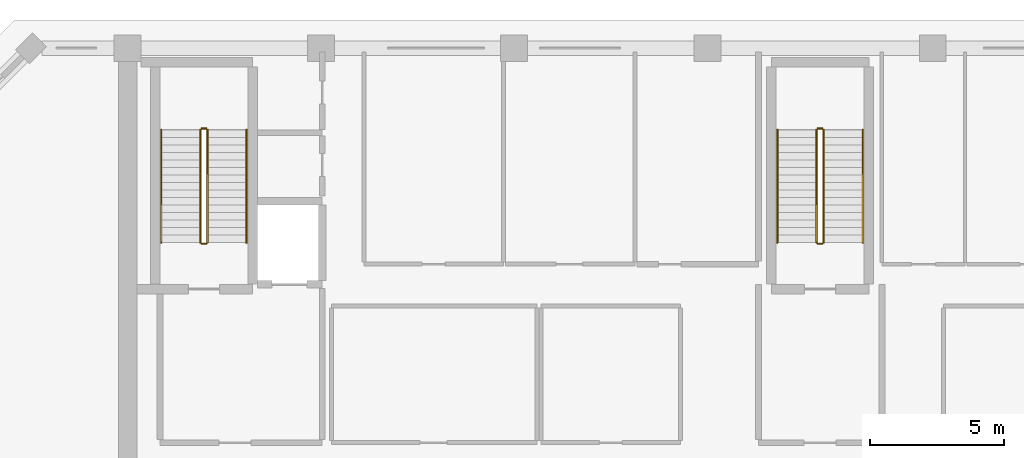
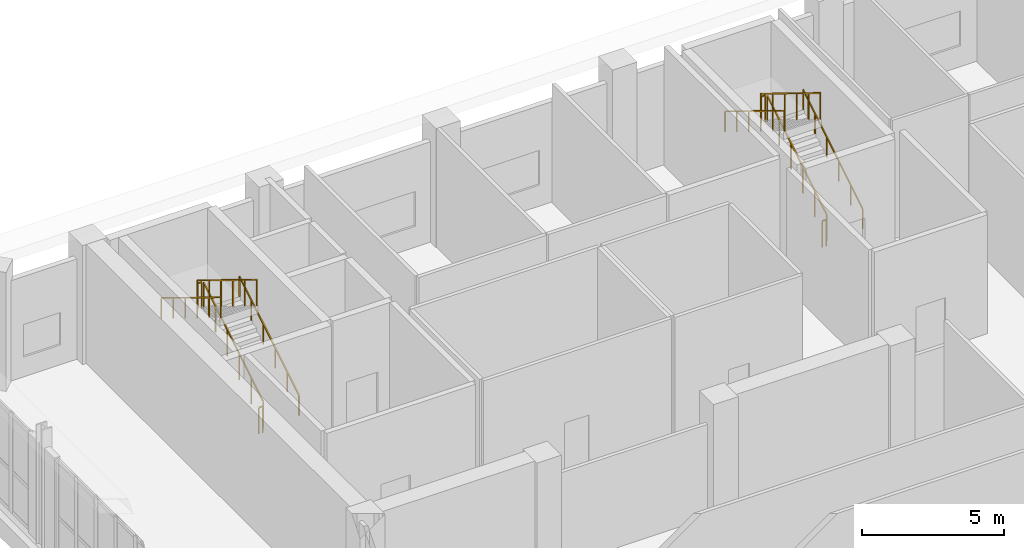
# One storey, part 25 of 26: 12 railings.
"""IFC4 building model written with IfcOpenShell, lengths in metres."""

from ifc_helpers import new_model, si_unit, direction, frame, origin, origin_2d, place, context, subcontext, project, spatial, rectangle, extrude, material, type_object, element, save


model = new_model("IFC4")

# Units and contexts
model_context = context("Model", 3, precision=1e-05, world=origin(), true_north=direction((0.0, 1.0)))
body_context = subcontext(model_context, "Body", "Model", "MODEL_VIEW")
ifc_project = project(units=[si_unit("LENGTHUNIT", "METRE"), si_unit("AREAUNIT", "SQUARE_METRE"), si_unit("VOLUMEUNIT", "CUBIC_METRE"), si_unit("PLANEANGLEUNIT", "RADIAN"), si_unit("MASSUNIT", "GRAM", prefix="KILO")], contexts=[model_context])

# Site, building, storey
site_placement = place(None, origin())
site = spatial("IfcSite", under=ifc_project, at=site_placement, CompositionType="ELEMENT")
building_placement = place(site_placement, origin())
building = spatial("IfcBuilding", under=site, at=building_placement, Name="Kaelvorn Grand Hotel", CompositionType="ELEMENT")
storey_placement = place(building_placement, frame((0.0, 0.0, 300.199951171875)))
storey = spatial("IfcBuildingStorey", under=building, at=storey_placement, Name="L73", CompositionType="ELEMENT", Elevation=300.199951171875)

# Railings
ifc_material = material(Name="Stainless Steel", Category="steel")
railing_type_1 = type_object("IfcRailingType", Name="RL-HANDRAIL-900", PredefinedType="HANDRAIL", material=ifc_material)
railing_1_placement = place(storey_placement, frame((20.6298828125, 41.760009765625, 0.171875)))
element("IfcRailing", 1, at=railing_1_placement, inside=storey, type_object=railing_type_1, Name="L73 ST1 stair handrail 1", PredefinedType="HANDRAIL", context=body_context, shape_type="SweptSolid", body=[
    extrude(rectangle(XDim=0.048095703125, YDim=0.048095703125, at=origin_2d()), frame((0.0, 0.0, 0.8759765625), z_axis=(0.0, 0.852242915053, 0.523146264196), x_axis=(-1.0, 0.0, 0.0)), (0.0, 0.0, 1.0), 4.92822265625),
    extrude(rectangle(XDim=0.0419921875, YDim=0.0419921875, at=origin_2d()), origin(), (0.0, 0.0, 1.0), 0.851806640625),
    extrude(rectangle(XDim=0.0419921875, YDim=0.0419921875, at=origin_2d()), frame((0.0, 0.840087890625, 0.515625)), (0.0, 0.0, 1.0), 0.851806640625),
    extrude(rectangle(XDim=0.0419921875, YDim=0.0419921875, at=origin_2d()), frame((0.0, 1.679931640625, 1.03125)), (0.0, 0.0, 1.0), 0.851806640625),
    extrude(rectangle(XDim=0.0419921875, YDim=0.0419921875, at=origin_2d()), frame((0.0, 2.52001953125, 1.546875)), (0.0, 0.0, 1.0), 0.851806640625),
    extrude(rectangle(XDim=0.0419921875, YDim=0.0419921875, at=origin_2d()), frame((0.0, 3.35986328125, 2.0625)), (0.0, 0.0, 1.0), 0.851806640625),
    extrude(rectangle(XDim=0.0419921875, YDim=0.0419921875, at=origin_2d()), frame((0.0, 4.199951171875, 2.578125)), (0.0, 0.0, 1.0), 0.851806640625),
])
railing_2_placement = place(storey_placement, frame((17.449951171875, 45.9599609375, 2.921875)))
element("IfcRailing", 2, at=railing_2_placement, inside=storey, type_object=railing_type_1, Name="L73 ST1 stair handrail 2", PredefinedType="HANDRAIL", context=body_context, shape_type="SweptSolid", body=[
    extrude(rectangle(XDim=0.048095703125, YDim=0.048095703125, at=origin_2d()), frame((0.0, 0.0, 0.8759765625), z_axis=(0.0, -0.852242915053, 0.523146264196), x_axis=(1.0, 0.0, 0.0)), (0.0, 0.0, 1.0), 4.92822265625),
    extrude(rectangle(XDim=0.0419921875, YDim=0.0419921875, at=origin_2d()), origin(), (0.0, 0.0, 1.0), 0.851806640625),
    extrude(rectangle(XDim=0.0419921875, YDim=0.0419921875, at=origin_2d()), frame((0.0, -0.840087890625, 0.515625)), (0.0, 0.0, 1.0), 0.851806640625),
    extrude(rectangle(XDim=0.0419921875, YDim=0.0419921875, at=origin_2d()), frame((0.0, -1.679931640625, 1.03125)), (0.0, 0.0, 1.0), 0.851806640625),
    extrude(rectangle(XDim=0.0419921875, YDim=0.0419921875, at=origin_2d()), frame((0.0, -2.52001953125, 1.546875)), (0.0, 0.0, 1.0), 0.851806640625),
    extrude(rectangle(XDim=0.0419921875, YDim=0.0419921875, at=origin_2d()), frame((0.0, -3.35986328125, 2.0625)), (0.0, 0.0, 1.0), 0.851806640625),
    extrude(rectangle(XDim=0.0419921875, YDim=0.0419921875, at=origin_2d()), frame((0.0, -4.199951171875, 2.578125)), (0.0, 0.0, 1.0), 0.851806640625),
])
railing_3_placement = place(storey_placement, frame((43.590087890625, 41.760009765625, 0.171875)))
element("IfcRailing", 3, at=railing_3_placement, inside=storey, type_object=railing_type_1, Name="L73 ST2 stair handrail 1", PredefinedType="HANDRAIL", context=body_context, shape_type="SweptSolid", body=[
    extrude(rectangle(XDim=0.048095703125, YDim=0.048095703125, at=origin_2d()), frame((0.0, 0.0, 0.8759765625), z_axis=(0.0, 0.852242915053, 0.523146264196), x_axis=(-1.0, 0.0, 0.0)), (0.0, 0.0, 1.0), 4.92822265625),
    extrude(rectangle(XDim=0.0419921875, YDim=0.0419921875, at=origin_2d()), origin(), (0.0, 0.0, 1.0), 0.851806640625),
    extrude(rectangle(XDim=0.0419921875, YDim=0.0419921875, at=origin_2d()), frame((0.0, 0.840087890625, 0.515625)), (0.0, 0.0, 1.0), 0.851806640625),
    extrude(rectangle(XDim=0.0419921875, YDim=0.0419921875, at=origin_2d()), frame((0.0, 1.679931640625, 1.03125)), (0.0, 0.0, 1.0), 0.851806640625),
    extrude(rectangle(XDim=0.0419921875, YDim=0.0419921875, at=origin_2d()), frame((0.0, 2.52001953125, 1.546875)), (0.0, 0.0, 1.0), 0.851806640625),
    extrude(rectangle(XDim=0.0419921875, YDim=0.0419921875, at=origin_2d()), frame((0.0, 3.35986328125, 2.0625)), (0.0, 0.0, 1.0), 0.851806640625),
    extrude(rectangle(XDim=0.0419921875, YDim=0.0419921875, at=origin_2d()), frame((0.0, 4.199951171875, 2.578125)), (0.0, 0.0, 1.0), 0.851806640625),
])
railing_4_placement = place(storey_placement, frame((40.409912109375, 45.9599609375, 2.921875)))
element("IfcRailing", 4, at=railing_4_placement, inside=storey, type_object=railing_type_1, Name="L73 ST2 stair handrail 2", PredefinedType="HANDRAIL", context=body_context, shape_type="SweptSolid", body=[
    extrude(rectangle(XDim=0.048095703125, YDim=0.048095703125, at=origin_2d()), frame((0.0, 0.0, 0.8759765625), z_axis=(0.0, -0.852242915053, 0.523146264196), x_axis=(1.0, 0.0, 0.0)), (0.0, 0.0, 1.0), 4.92822265625),
    extrude(rectangle(XDim=0.0419921875, YDim=0.0419921875, at=origin_2d()), origin(), (0.0, 0.0, 1.0), 0.851806640625),
    extrude(rectangle(XDim=0.0419921875, YDim=0.0419921875, at=origin_2d()), frame((0.0, -0.840087890625, 0.515625)), (0.0, 0.0, 1.0), 0.851806640625),
    extrude(rectangle(XDim=0.0419921875, YDim=0.0419921875, at=origin_2d()), frame((0.0, -1.679931640625, 1.03125)), (0.0, 0.0, 1.0), 0.851806640625),
    extrude(rectangle(XDim=0.0419921875, YDim=0.0419921875, at=origin_2d()), frame((0.0, -2.52001953125, 1.546875)), (0.0, 0.0, 1.0), 0.851806640625),
    extrude(rectangle(XDim=0.0419921875, YDim=0.0419921875, at=origin_2d()), frame((0.0, -3.35986328125, 2.0625)), (0.0, 0.0, 1.0), 0.851806640625),
    extrude(rectangle(XDim=0.0419921875, YDim=0.0419921875, at=origin_2d()), frame((0.0, -4.199951171875, 2.578125)), (0.0, 0.0, 1.0), 0.851806640625),
])
railing_type_2 = type_object("IfcRailingType", Name="RL-STAIR-GUARD-1150", PredefinedType="BALUSTRADE", material=ifc_material)
railing_5_placement = place(storey_placement, frame((19.169921875, 41.760009765625, 0.171875)))
element("IfcRailing", 5, at=railing_5_placement, inside=storey, type_object=railing_type_2, Name="L73 ST1 stair guard 1", PredefinedType="BALUSTRADE", context=body_context, shape_type="SweptSolid", body=[
    extrude(rectangle(XDim=0.048095703125, YDim=0.048095703125, at=origin_2d()), frame((0.0, 0.0, 1.1259765625), z_axis=(0.0, 0.852242915053, 0.523146264196), x_axis=(-1.0, 0.0, 0.0)), (0.0, 0.0, 1.0), 4.92822265625),
    extrude(rectangle(XDim=0.0419921875, YDim=0.0419921875, at=origin_2d()), origin(), (0.0, 0.0, 1.0), 1.101806640625),
    extrude(rectangle(XDim=0.0419921875, YDim=0.0419921875, at=origin_2d()), frame((0.0, 0.840087890625, 0.515625)), (0.0, 0.0, 1.0), 1.101806640625),
    extrude(rectangle(XDim=0.0419921875, YDim=0.0419921875, at=origin_2d()), frame((0.0, 1.679931640625, 1.03125)), (0.0, 0.0, 1.0), 1.101806640625),
    extrude(rectangle(XDim=0.0419921875, YDim=0.0419921875, at=origin_2d()), frame((0.0, 2.52001953125, 1.546875)), (0.0, 0.0, 1.0), 1.101806640625),
    extrude(rectangle(XDim=0.0419921875, YDim=0.0419921875, at=origin_2d()), frame((0.0, 3.35986328125, 2.0625)), (0.0, 0.0, 1.0), 1.101806640625),
    extrude(rectangle(XDim=0.0419921875, YDim=0.0419921875, at=origin_2d()), frame((0.0, 4.199951171875, 2.578125)), (0.0, 0.0, 1.0), 1.101806640625),
])
railing_6_placement = place(storey_placement, frame((19.1201171875, 46.010009765625, 2.75)))
element("IfcRailing", 6, at=railing_6_placement, inside=storey, type_object=railing_type_2, Name="L73 ST1 stair guard 2", PredefinedType="BALUSTRADE", context=body_context, shape_type="SweptSolid", body=[
    extrude(rectangle(XDim=0.048095703125, YDim=0.048095703125, at=origin_2d()), frame((0.0, 0.0, 1.1259765625), z_axis=(-1.0, 0.0, 0.0), x_axis=(0.0, -1.0, 0.0)), (0.0, 0.0, 1.0), 0.16015625),
    extrude(rectangle(XDim=0.0419921875, YDim=0.0419921875, at=origin_2d()), origin(), (0.0, 0.0, 1.0), 1.101806640625),
    extrude(rectangle(XDim=0.0419921875, YDim=0.0419921875, at=origin_2d()), frame((-0.16015625, 0.0, 0.0)), (0.0, 0.0, 1.0), 1.101806640625),
])
railing_7_placement = place(storey_placement, frame((18.909912109375, 45.9599609375, 2.921875)))
element("IfcRailing", 7, at=railing_7_placement, inside=storey, type_object=railing_type_2, Name="L73 ST1 stair guard 3", PredefinedType="BALUSTRADE", context=body_context, shape_type="SweptSolid", body=[
    extrude(rectangle(XDim=0.048095703125, YDim=0.048095703125, at=origin_2d()), frame((0.0, 0.0, 1.1259765625), z_axis=(0.0, -0.852242915053, 0.523146264196), x_axis=(1.0, 0.0, 0.0)), (0.0, 0.0, 1.0), 4.92822265625),
    extrude(rectangle(XDim=0.0419921875, YDim=0.0419921875, at=origin_2d()), origin(), (0.0, 0.0, 1.0), 1.101806640625),
    extrude(rectangle(XDim=0.0419921875, YDim=0.0419921875, at=origin_2d()), frame((0.0, -0.840087890625, 0.515625)), (0.0, 0.0, 1.0), 1.101806640625),
    extrude(rectangle(XDim=0.0419921875, YDim=0.0419921875, at=origin_2d()), frame((0.0, -1.679931640625, 1.03125)), (0.0, 0.0, 1.0), 1.101806640625),
    extrude(rectangle(XDim=0.0419921875, YDim=0.0419921875, at=origin_2d()), frame((0.0, -2.52001953125, 1.546875)), (0.0, 0.0, 1.0), 1.101806640625),
    extrude(rectangle(XDim=0.0419921875, YDim=0.0419921875, at=origin_2d()), frame((0.0, -3.35986328125, 2.0625)), (0.0, 0.0, 1.0), 1.101806640625),
    extrude(rectangle(XDim=0.0419921875, YDim=0.0419921875, at=origin_2d()), frame((0.0, -4.199951171875, 2.578125)), (0.0, 0.0, 1.0), 1.101806640625),
])
railing_8_placement = place(storey_placement, frame((19.1201171875, 41.7099609375, 0.0)))
element("IfcRailing", 8, at=railing_8_placement, inside=storey, type_object=railing_type_2, Name="L73 ST1 stair guard 4", PredefinedType="BALUSTRADE", context=body_context, shape_type="SweptSolid", body=[
    extrude(rectangle(XDim=0.048095703125, YDim=0.048095703125, at=origin_2d()), frame((0.0, 0.0, 1.1259765625), z_axis=(-1.0, 0.0, 0.0), x_axis=(0.0, -1.0, 0.0)), (0.0, 0.0, 1.0), 0.16015625),
    extrude(rectangle(XDim=0.0419921875, YDim=0.0419921875, at=origin_2d()), origin(), (0.0, 0.0, 1.0), 1.101806640625),
    extrude(rectangle(XDim=0.0419921875, YDim=0.0419921875, at=origin_2d()), frame((-0.16015625, 0.0, 0.0)), (0.0, 0.0, 1.0), 1.101806640625),
])
railing_9_placement = place(storey_placement, frame((42.1298828125, 41.760009765625, 0.171875)))
element("IfcRailing", 9, at=railing_9_placement, inside=storey, type_object=railing_type_2, Name="L73 ST2 stair guard 1", PredefinedType="BALUSTRADE", context=body_context, shape_type="SweptSolid", body=[
    extrude(rectangle(XDim=0.048095703125, YDim=0.048095703125, at=origin_2d()), frame((0.0, 0.0, 1.1259765625), z_axis=(0.0, 0.852242915053, 0.523146264196), x_axis=(-1.0, 0.0, 0.0)), (0.0, 0.0, 1.0), 4.92822265625),
    extrude(rectangle(XDim=0.0419921875, YDim=0.0419921875, at=origin_2d()), origin(), (0.0, 0.0, 1.0), 1.101806640625),
    extrude(rectangle(XDim=0.0419921875, YDim=0.0419921875, at=origin_2d()), frame((0.0, 0.840087890625, 0.515625)), (0.0, 0.0, 1.0), 1.101806640625),
    extrude(rectangle(XDim=0.0419921875, YDim=0.0419921875, at=origin_2d()), frame((0.0, 1.679931640625, 1.03125)), (0.0, 0.0, 1.0), 1.101806640625),
    extrude(rectangle(XDim=0.0419921875, YDim=0.0419921875, at=origin_2d()), frame((0.0, 2.52001953125, 1.546875)), (0.0, 0.0, 1.0), 1.101806640625),
    extrude(rectangle(XDim=0.0419921875, YDim=0.0419921875, at=origin_2d()), frame((0.0, 3.35986328125, 2.0625)), (0.0, 0.0, 1.0), 1.101806640625),
    extrude(rectangle(XDim=0.0419921875, YDim=0.0419921875, at=origin_2d()), frame((0.0, 4.199951171875, 2.578125)), (0.0, 0.0, 1.0), 1.101806640625),
])
railing_10_placement = place(storey_placement, frame((42.080078125, 46.010009765625, 2.75)))
element("IfcRailing", 10, at=railing_10_placement, inside=storey, type_object=railing_type_2, Name="L73 ST2 stair guard 2", PredefinedType="BALUSTRADE", context=body_context, shape_type="SweptSolid", body=[
    extrude(rectangle(XDim=0.048095703125, YDim=0.048095703125, at=origin_2d()), frame((0.0, 0.0, 1.1259765625), z_axis=(-1.0, 0.0, 0.0), x_axis=(0.0, -1.0, 0.0)), (0.0, 0.0, 1.0), 0.16015625),
    extrude(rectangle(XDim=0.0419921875, YDim=0.0419921875, at=origin_2d()), origin(), (0.0, 0.0, 1.0), 1.101806640625),
    extrude(rectangle(XDim=0.0419921875, YDim=0.0419921875, at=origin_2d()), frame((-0.16015625, 0.0, 0.0)), (0.0, 0.0, 1.0), 1.101806640625),
])
railing_11_placement = place(storey_placement, frame((41.8701171875, 45.9599609375, 2.921875)))
element("IfcRailing", 11, at=railing_11_placement, inside=storey, type_object=railing_type_2, Name="L73 ST2 stair guard 3", PredefinedType="BALUSTRADE", context=body_context, shape_type="SweptSolid", body=[
    extrude(rectangle(XDim=0.048095703125, YDim=0.048095703125, at=origin_2d()), frame((0.0, 0.0, 1.1259765625), z_axis=(0.0, -0.852242915053, 0.523146264196), x_axis=(1.0, 0.0, 0.0)), (0.0, 0.0, 1.0), 4.92822265625),
    extrude(rectangle(XDim=0.0419921875, YDim=0.0419921875, at=origin_2d()), origin(), (0.0, 0.0, 1.0), 1.101806640625),
    extrude(rectangle(XDim=0.0419921875, YDim=0.0419921875, at=origin_2d()), frame((0.0, -0.840087890625, 0.515625)), (0.0, 0.0, 1.0), 1.101806640625),
    extrude(rectangle(XDim=0.0419921875, YDim=0.0419921875, at=origin_2d()), frame((0.0, -1.679931640625, 1.03125)), (0.0, 0.0, 1.0), 1.101806640625),
    extrude(rectangle(XDim=0.0419921875, YDim=0.0419921875, at=origin_2d()), frame((0.0, -2.52001953125, 1.546875)), (0.0, 0.0, 1.0), 1.101806640625),
    extrude(rectangle(XDim=0.0419921875, YDim=0.0419921875, at=origin_2d()), frame((0.0, -3.35986328125, 2.0625)), (0.0, 0.0, 1.0), 1.101806640625),
    extrude(rectangle(XDim=0.0419921875, YDim=0.0419921875, at=origin_2d()), frame((0.0, -4.199951171875, 2.578125)), (0.0, 0.0, 1.0), 1.101806640625),
])
railing_12_placement = place(storey_placement, frame((42.080078125, 41.7099609375, 0.0)))
element("IfcRailing", 12, at=railing_12_placement, inside=storey, type_object=railing_type_2, Name="L73 ST2 stair guard 4", PredefinedType="BALUSTRADE", context=body_context, shape_type="SweptSolid", body=[
    extrude(rectangle(XDim=0.048095703125, YDim=0.048095703125, at=origin_2d()), frame((0.0, 0.0, 1.1259765625), z_axis=(-1.0, 0.0, 0.0), x_axis=(0.0, -1.0, 0.0)), (0.0, 0.0, 1.0), 0.16015625),
    extrude(rectangle(XDim=0.0419921875, YDim=0.0419921875, at=origin_2d()), origin(), (0.0, 0.0, 1.0), 1.101806640625),
    extrude(rectangle(XDim=0.0419921875, YDim=0.0419921875, at=origin_2d()), frame((-0.16015625, 0.0, 0.0)), (0.0, 0.0, 1.0), 1.101806640625),
])

save(model, "model.ifc")
